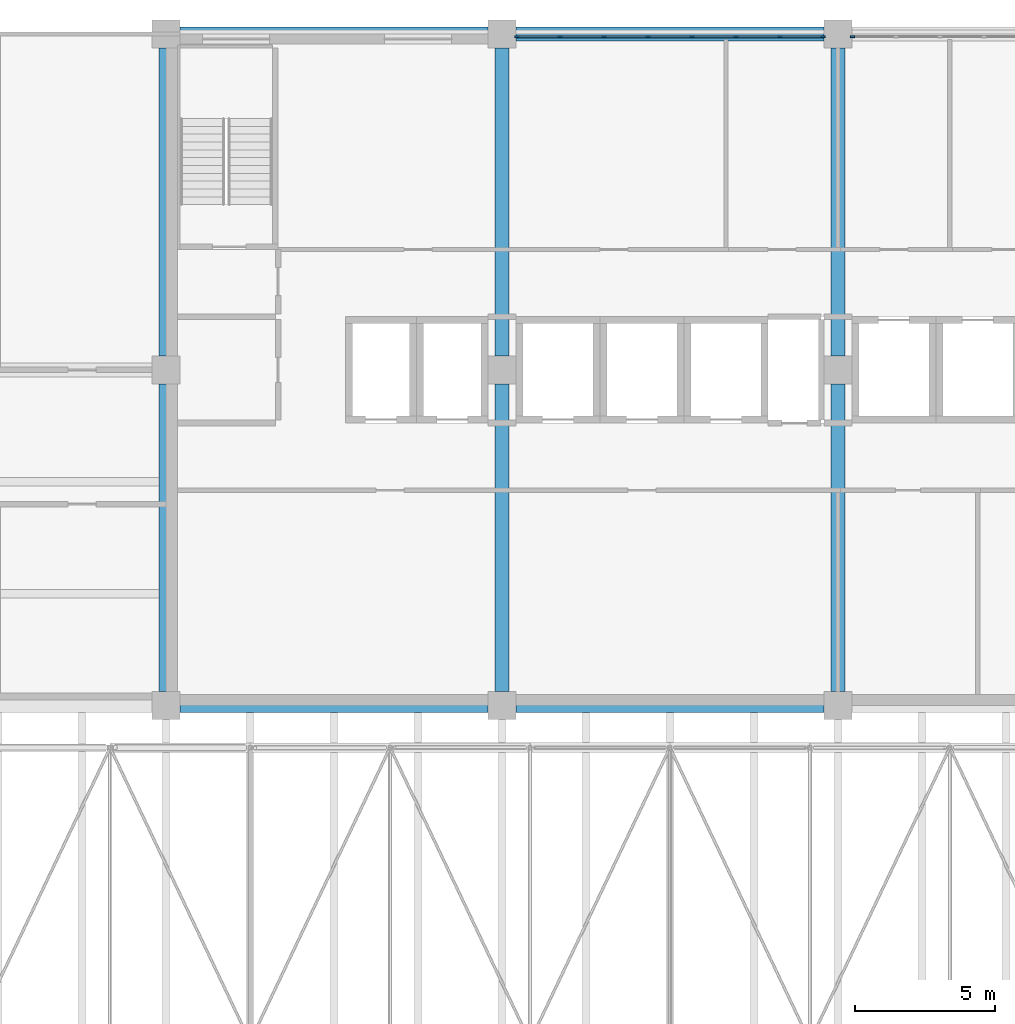
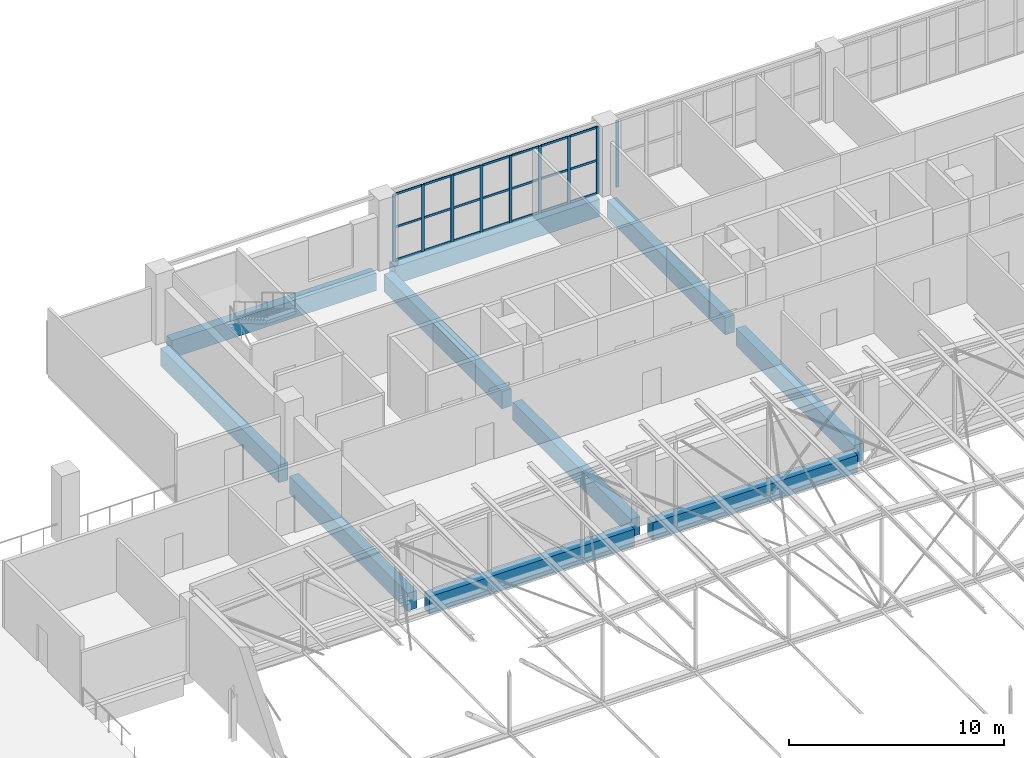
# One storey, part 131 of 156: 30 members, 10 beams, 2 elements without a shape of their own.
"""IFC4 building model written with IfcOpenShell, lengths in metres."""

from ifc_helpers import new_model, si_unit, direction, frame, origin, origin_2d, place, context, subcontext, project, spatial, rectangle, extrude, material, layer, layer_set, material_profile, profile_set, type_object, element, aggregate, save


model = new_model("IFC4")

# Units and contexts
model_context = context("Model", 3, precision=1e-05, world=origin(), true_north=direction((0.0, 1.0)))
body_context = subcontext(model_context, "Body", "Model", "MODEL_VIEW")
ifc_project = project(units=[si_unit("LENGTHUNIT", "METRE"), si_unit("AREAUNIT", "SQUARE_METRE"), si_unit("VOLUMEUNIT", "CUBIC_METRE"), si_unit("PLANEANGLEUNIT", "RADIAN"), si_unit("MASSUNIT", "GRAM", prefix="KILO")], contexts=[model_context])

# Site, building, storey
site_placement = place(None, origin())
site = spatial("IfcSite", under=ifc_project, at=site_placement, CompositionType="ELEMENT")
building_placement = place(site_placement, origin())
building = spatial("IfcBuilding", under=site, at=building_placement, Name="Lilac Gate Convention Centre", CompositionType="ELEMENT")
storey_placement = place(building_placement, frame((0.0, 0.0, 17.0)))
storey = spatial("IfcBuildingStorey", under=building, at=storey_placement, Name="L03", CompositionType="ELEMENT", Elevation=17.0)

# Curtain wall, member
ifc_material_1 = material(Name="Aluminium framed double glazing", Category="aluminium")
ifc_layer = layer(ifc_material_1, 0.199951171875)
ifc_layer_set = layer_set([ifc_layer], Name="Aluminium framed double glazing")
curtain_wall_type = type_object("IfcCurtainWallType", Name="Unitised curtain wall 1500", PredefinedType="NOTDEFINED", material=ifc_layer_set)
curtain_wall_1_placement = place(storey_placement, origin())
curtain_wall_1 = element("IfcCurtainWall", 1, at=curtain_wall_1_placement, inside=storey, type_object=curtain_wall_type, Name="Curtain wall N L03 2", PredefinedType="NOTDEFINED")
ifc_material_2 = material(Name="Aluminium alloy 6063", Category="aluminium")
ifc_material_profile_1 = material_profile(ifc_material_2, rectangle(XDim=0.06005859375, YDim=0.159912109375, at=origin_2d()), Name="Curtain wall mullion 60 x 160")
ifc_profile_set_1 = profile_set([ifc_material_profile_1], Name="Aluminium alloy 6063")
member_type_1 = type_object("IfcMemberType", Name="Curtain wall mullion 60 x 160", PredefinedType="MULLION", material=ifc_profile_set_1)
member_1_placement = place(storey_placement, frame((66.530029296875, 245.89990234375, 0.0), z_axis=(0.0, 0.0, 1.0), x_axis=(0.0, -1.0, 0.0)))
member_1 = element("IfcMember", 2, at=member_1_placement, type_object=member_type_1, Name="CW mullion 8", PredefinedType="MULLION", context=body_context, shape_type="SweptSolid", body=[
    extrude(rectangle(XDim=0.06005859375, YDim=0.159912109375, at=origin_2d()), origin(), (0.0, 0.0, 1.0), 3.800048828125),
])
aggregate(curtain_wall_1, [member_1])

# Curtain wall, members
curtain_wall_2_placement = place(storey_placement, origin())
curtain_wall_2 = element("IfcCurtainWall", 3, at=curtain_wall_2_placement, inside=storey, type_object=curtain_wall_type, Name="Curtain wall N L03 3", PredefinedType="NOTDEFINED")
member_2_placement = place(storey_placement, frame((65.469970703125, 245.89990234375, 0.0), z_axis=(0.0, 0.0, 1.0), x_axis=(0.0, -1.0, 0.0)))
member_2 = element("IfcMember", 4, at=member_2_placement, type_object=member_type_1, Name="CW mullion 1", PredefinedType="MULLION", context=body_context, shape_type="SweptSolid", body=[
    extrude(rectangle(XDim=0.06005859375, YDim=0.159912109375, at=origin_2d()), origin(), (0.0, 0.0, 1.0), 3.800048828125),
])
member_3_placement = place(storey_placement, frame((63.928466796875, 245.89990234375, 0.0), z_axis=(0.0, 0.0, 1.0), x_axis=(0.0, -1.0, 0.0)))
member_3 = element("IfcMember", 5, at=member_3_placement, type_object=member_type_1, Name="CW mullion 2", PredefinedType="MULLION", context=body_context, shape_type="SweptSolid", body=[
    extrude(rectangle(XDim=0.06005859375, YDim=0.159912109375, at=origin_2d()), origin(), (0.0, 0.0, 1.0), 3.800048828125),
])
member_4_placement = place(storey_placement, frame((62.357177734375, 245.89990234375, 0.0), z_axis=(0.0, 0.0, 1.0), x_axis=(0.0, -1.0, 0.0)))
member_4 = element("IfcMember", 6, at=member_4_placement, type_object=member_type_1, Name="CW mullion 3", PredefinedType="MULLION", context=body_context, shape_type="SweptSolid", body=[
    extrude(rectangle(XDim=0.06005859375, YDim=0.159912109375, at=origin_2d()), origin(), (0.0, 0.0, 1.0), 3.800048828125),
])
member_5_placement = place(storey_placement, frame((60.78564453125, 245.89990234375, 0.0), z_axis=(0.0, 0.0, 1.0), x_axis=(0.0, -1.0, 0.0)))
member_5 = element("IfcMember", 7, at=member_5_placement, type_object=member_type_1, Name="CW mullion 4", PredefinedType="MULLION", context=body_context, shape_type="SweptSolid", body=[
    extrude(rectangle(XDim=0.06005859375, YDim=0.159912109375, at=origin_2d()), origin(), (0.0, 0.0, 1.0), 3.800048828125),
])
member_6_placement = place(storey_placement, frame((59.21435546875, 245.89990234375, 0.0), z_axis=(0.0, 0.0, 1.0), x_axis=(0.0, -1.0, 0.0)))
member_6 = element("IfcMember", 8, at=member_6_placement, type_object=member_type_1, Name="CW mullion 5", PredefinedType="MULLION", context=body_context, shape_type="SweptSolid", body=[
    extrude(rectangle(XDim=0.06005859375, YDim=0.159912109375, at=origin_2d()), origin(), (0.0, 0.0, 1.0), 3.800048828125),
])
member_7_placement = place(storey_placement, frame((57.642822265625, 245.89990234375, 0.0), z_axis=(0.0, 0.0, 1.0), x_axis=(0.0, -1.0, 0.0)))
member_7 = element("IfcMember", 9, at=member_7_placement, type_object=member_type_1, Name="CW mullion 6", PredefinedType="MULLION", context=body_context, shape_type="SweptSolid", body=[
    extrude(rectangle(XDim=0.06005859375, YDim=0.159912109375, at=origin_2d()), origin(), (0.0, 0.0, 1.0), 3.800048828125),
])
member_8_placement = place(storey_placement, frame((56.071533203125, 245.89990234375, 0.0), z_axis=(0.0, 0.0, 1.0), x_axis=(0.0, -1.0, 0.0)))
member_8 = element("IfcMember", 10, at=member_8_placement, type_object=member_type_1, Name="CW mullion 7", PredefinedType="MULLION", context=body_context, shape_type="SweptSolid", body=[
    extrude(rectangle(XDim=0.06005859375, YDim=0.159912109375, at=origin_2d()), origin(), (0.0, 0.0, 1.0), 3.800048828125),
])
member_9_placement = place(storey_placement, frame((54.530029296875, 245.89990234375, 0.0), z_axis=(0.0, 0.0, 1.0), x_axis=(0.0, -1.0, 0.0)))
member_9 = element("IfcMember", 11, at=member_9_placement, type_object=member_type_1, Name="CW mullion 8", PredefinedType="MULLION", context=body_context, shape_type="SweptSolid", body=[
    extrude(rectangle(XDim=0.06005859375, YDim=0.159912109375, at=origin_2d()), origin(), (0.0, 0.0, 1.0), 3.800048828125),
])
ifc_material_profile_2 = material_profile(ifc_material_2, rectangle(XDim=0.06005859375, YDim=0.1201171875, at=origin_2d()), Name="Curtain wall transom 60 x 120")
ifc_profile_set_2 = profile_set([ifc_material_profile_2], Name="Aluminium alloy 6063")
member_type_2 = type_object("IfcMemberType", Name="Curtain wall transom 60 x 120", PredefinedType="USERDEFINED", material=ifc_profile_set_2)
member_10_placement = place(storey_placement, frame((65.43994140625, 245.89990234375, 0.030029296875), z_axis=(-1.0, 0.0, 0.0), x_axis=(0.0, -1.0, 0.0)))
member_10 = element("IfcMember", 12, at=member_10_placement, type_object=member_type_2, Name="CW transom 1.1", ObjectType="TRANSOM", PredefinedType="USERDEFINED", context=body_context, shape_type="SweptSolid", body=[
    extrude(rectangle(XDim=0.06005859375, YDim=0.1201171875, at=origin_2d()), origin(), (0.0, 0.0, 1.0), 1.4814453125),
])
member_11_placement = place(storey_placement, frame((65.43994140625, 245.89990234375, 1.89990234375), z_axis=(-1.0, 0.0, 0.0), x_axis=(0.0, -1.0, 0.0)))
member_11 = element("IfcMember", 13, at=member_11_placement, type_object=member_type_2, Name="CW transom 1.2", ObjectType="TRANSOM", PredefinedType="USERDEFINED", context=body_context, shape_type="SweptSolid", body=[
    extrude(rectangle(XDim=0.06005859375, YDim=0.1201171875, at=origin_2d()), origin(), (0.0, 0.0, 1.0), 1.4814453125),
])
member_12_placement = place(storey_placement, frame((65.43994140625, 245.89990234375, 3.77001953125), z_axis=(-1.0, 0.0, 0.0), x_axis=(0.0, -1.0, 0.0)))
member_12 = element("IfcMember", 14, at=member_12_placement, type_object=member_type_2, Name="CW transom 1.3", ObjectType="TRANSOM", PredefinedType="USERDEFINED", context=body_context, shape_type="SweptSolid", body=[
    extrude(rectangle(XDim=0.06005859375, YDim=0.1201171875, at=origin_2d()), origin(), (0.0, 0.0, 1.0), 1.4814453125),
])
member_13_placement = place(storey_placement, frame((63.898681640625, 245.89990234375, 0.030029296875), z_axis=(-1.0, 0.0, 0.0), x_axis=(0.0, -1.0, 0.0)))
member_13 = element("IfcMember", 15, at=member_13_placement, type_object=member_type_2, Name="CW transom 2.1", ObjectType="TRANSOM", PredefinedType="USERDEFINED", context=body_context, shape_type="SweptSolid", body=[
    extrude(rectangle(XDim=0.06005859375, YDim=0.1201171875, at=origin_2d()), origin(), (0.0, 0.0, 1.0), 1.511474609375),
])
member_14_placement = place(storey_placement, frame((63.898681640625, 245.89990234375, 1.89990234375), z_axis=(-1.0, 0.0, 0.0), x_axis=(0.0, -1.0, 0.0)))
member_14 = element("IfcMember", 16, at=member_14_placement, type_object=member_type_2, Name="CW transom 2.2", ObjectType="TRANSOM", PredefinedType="USERDEFINED", context=body_context, shape_type="SweptSolid", body=[
    extrude(rectangle(XDim=0.06005859375, YDim=0.1201171875, at=origin_2d()), origin(), (0.0, 0.0, 1.0), 1.511474609375),
])
member_15_placement = place(storey_placement, frame((63.898681640625, 245.89990234375, 3.77001953125), z_axis=(-1.0, 0.0, 0.0), x_axis=(0.0, -1.0, 0.0)))
member_15 = element("IfcMember", 17, at=member_15_placement, type_object=member_type_2, Name="CW transom 2.3", ObjectType="TRANSOM", PredefinedType="USERDEFINED", context=body_context, shape_type="SweptSolid", body=[
    extrude(rectangle(XDim=0.06005859375, YDim=0.1201171875, at=origin_2d()), origin(), (0.0, 0.0, 1.0), 1.511474609375),
])
member_16_placement = place(storey_placement, frame((62.3271484375, 245.89990234375, 0.030029296875), z_axis=(-1.0, 0.0, 0.0), x_axis=(0.0, -1.0, 0.0)))
member_16 = element("IfcMember", 18, at=member_16_placement, type_object=member_type_2, Name="CW transom 3.1", ObjectType="TRANSOM", PredefinedType="USERDEFINED", context=body_context, shape_type="SweptSolid", body=[
    extrude(rectangle(XDim=0.06005859375, YDim=0.1201171875, at=origin_2d()), origin(), (0.0, 0.0, 1.0), 1.511474609375),
])
member_17_placement = place(storey_placement, frame((62.3271484375, 245.89990234375, 1.89990234375), z_axis=(-1.0, 0.0, 0.0), x_axis=(0.0, -1.0, 0.0)))
member_17 = element("IfcMember", 19, at=member_17_placement, type_object=member_type_2, Name="CW transom 3.2", ObjectType="TRANSOM", PredefinedType="USERDEFINED", context=body_context, shape_type="SweptSolid", body=[
    extrude(rectangle(XDim=0.06005859375, YDim=0.1201171875, at=origin_2d()), origin(), (0.0, 0.0, 1.0), 1.511474609375),
])
member_18_placement = place(storey_placement, frame((62.3271484375, 245.89990234375, 3.77001953125), z_axis=(-1.0, 0.0, 0.0), x_axis=(0.0, -1.0, 0.0)))
member_18 = element("IfcMember", 20, at=member_18_placement, type_object=member_type_2, Name="CW transom 3.3", ObjectType="TRANSOM", PredefinedType="USERDEFINED", context=body_context, shape_type="SweptSolid", body=[
    extrude(rectangle(XDim=0.06005859375, YDim=0.1201171875, at=origin_2d()), origin(), (0.0, 0.0, 1.0), 1.511474609375),
])
member_19_placement = place(storey_placement, frame((60.755615234375, 245.89990234375, 0.030029296875), z_axis=(-1.0, 0.0, 0.0), x_axis=(0.0, -1.0, 0.0)))
member_19 = element("IfcMember", 21, at=member_19_placement, type_object=member_type_2, Name="CW transom 4.1", ObjectType="TRANSOM", PredefinedType="USERDEFINED", context=body_context, shape_type="SweptSolid", body=[
    extrude(rectangle(XDim=0.06005859375, YDim=0.1201171875, at=origin_2d()), origin(), (0.0, 0.0, 1.0), 1.51123046875),
])
member_20_placement = place(storey_placement, frame((60.755615234375, 245.89990234375, 1.89990234375), z_axis=(-1.0, 0.0, 0.0), x_axis=(0.0, -1.0, 0.0)))
member_20 = element("IfcMember", 22, at=member_20_placement, type_object=member_type_2, Name="CW transom 4.2", ObjectType="TRANSOM", PredefinedType="USERDEFINED", context=body_context, shape_type="SweptSolid", body=[
    extrude(rectangle(XDim=0.06005859375, YDim=0.1201171875, at=origin_2d()), origin(), (0.0, 0.0, 1.0), 1.51123046875),
])
member_21_placement = place(storey_placement, frame((60.755615234375, 245.89990234375, 3.77001953125), z_axis=(-1.0, 0.0, 0.0), x_axis=(0.0, -1.0, 0.0)))
member_21 = element("IfcMember", 23, at=member_21_placement, type_object=member_type_2, Name="CW transom 4.3", ObjectType="TRANSOM", PredefinedType="USERDEFINED", context=body_context, shape_type="SweptSolid", body=[
    extrude(rectangle(XDim=0.06005859375, YDim=0.1201171875, at=origin_2d()), origin(), (0.0, 0.0, 1.0), 1.51123046875),
])
member_22_placement = place(storey_placement, frame((59.184326171875, 245.89990234375, 0.030029296875), z_axis=(-1.0, 0.0, 0.0), x_axis=(0.0, -1.0, 0.0)))
member_22 = element("IfcMember", 24, at=member_22_placement, type_object=member_type_2, Name="CW transom 5.1", ObjectType="TRANSOM", PredefinedType="USERDEFINED", context=body_context, shape_type="SweptSolid", body=[
    extrude(rectangle(XDim=0.06005859375, YDim=0.1201171875, at=origin_2d()), origin(), (0.0, 0.0, 1.0), 1.511474609375),
])
member_23_placement = place(storey_placement, frame((59.184326171875, 245.89990234375, 1.89990234375), z_axis=(-1.0, 0.0, 0.0), x_axis=(0.0, -1.0, 0.0)))
member_23 = element("IfcMember", 25, at=member_23_placement, type_object=member_type_2, Name="CW transom 5.2", ObjectType="TRANSOM", PredefinedType="USERDEFINED", context=body_context, shape_type="SweptSolid", body=[
    extrude(rectangle(XDim=0.06005859375, YDim=0.1201171875, at=origin_2d()), origin(), (0.0, 0.0, 1.0), 1.511474609375),
])
member_24_placement = place(storey_placement, frame((59.184326171875, 245.89990234375, 3.77001953125), z_axis=(-1.0, 0.0, 0.0), x_axis=(0.0, -1.0, 0.0)))
member_24 = element("IfcMember", 26, at=member_24_placement, type_object=member_type_2, Name="CW transom 5.3", ObjectType="TRANSOM", PredefinedType="USERDEFINED", context=body_context, shape_type="SweptSolid", body=[
    extrude(rectangle(XDim=0.06005859375, YDim=0.1201171875, at=origin_2d()), origin(), (0.0, 0.0, 1.0), 1.511474609375),
])
member_25_placement = place(storey_placement, frame((57.61279296875, 245.89990234375, 0.030029296875), z_axis=(-1.0, 0.0, 0.0), x_axis=(0.0, -1.0, 0.0)))
member_25 = element("IfcMember", 27, at=member_25_placement, type_object=member_type_2, Name="CW transom 6.1", ObjectType="TRANSOM", PredefinedType="USERDEFINED", context=body_context, shape_type="SweptSolid", body=[
    extrude(rectangle(XDim=0.06005859375, YDim=0.1201171875, at=origin_2d()), origin(), (0.0, 0.0, 1.0), 1.511474609375),
])
member_26_placement = place(storey_placement, frame((57.61279296875, 245.89990234375, 1.89990234375), z_axis=(-1.0, 0.0, 0.0), x_axis=(0.0, -1.0, 0.0)))
member_26 = element("IfcMember", 28, at=member_26_placement, type_object=member_type_2, Name="CW transom 6.2", ObjectType="TRANSOM", PredefinedType="USERDEFINED", context=body_context, shape_type="SweptSolid", body=[
    extrude(rectangle(XDim=0.06005859375, YDim=0.1201171875, at=origin_2d()), origin(), (0.0, 0.0, 1.0), 1.511474609375),
])
member_27_placement = place(storey_placement, frame((57.61279296875, 245.89990234375, 3.77001953125), z_axis=(-1.0, 0.0, 0.0), x_axis=(0.0, -1.0, 0.0)))
member_27 = element("IfcMember", 29, at=member_27_placement, type_object=member_type_2, Name="CW transom 6.3", ObjectType="TRANSOM", PredefinedType="USERDEFINED", context=body_context, shape_type="SweptSolid", body=[
    extrude(rectangle(XDim=0.06005859375, YDim=0.1201171875, at=origin_2d()), origin(), (0.0, 0.0, 1.0), 1.511474609375),
])
member_28_placement = place(storey_placement, frame((56.04150390625, 245.89990234375, 0.030029296875), z_axis=(-1.0, 0.0, 0.0), x_axis=(0.0, -1.0, 0.0)))
member_28 = element("IfcMember", 30, at=member_28_placement, type_object=member_type_2, Name="CW transom 7.1", ObjectType="TRANSOM", PredefinedType="USERDEFINED", context=body_context, shape_type="SweptSolid", body=[
    extrude(rectangle(XDim=0.06005859375, YDim=0.1201171875, at=origin_2d()), origin(), (0.0, 0.0, 1.0), 1.4814453125),
])
member_29_placement = place(storey_placement, frame((56.04150390625, 245.89990234375, 1.89990234375), z_axis=(-1.0, 0.0, 0.0), x_axis=(0.0, -1.0, 0.0)))
member_29 = element("IfcMember", 31, at=member_29_placement, type_object=member_type_2, Name="CW transom 7.2", ObjectType="TRANSOM", PredefinedType="USERDEFINED", context=body_context, shape_type="SweptSolid", body=[
    extrude(rectangle(XDim=0.06005859375, YDim=0.1201171875, at=origin_2d()), origin(), (0.0, 0.0, 1.0), 1.4814453125),
])
member_30_placement = place(storey_placement, frame((56.04150390625, 245.89990234375, 3.77001953125), z_axis=(-1.0, 0.0, 0.0), x_axis=(0.0, -1.0, 0.0)))
member_30 = element("IfcMember", 32, at=member_30_placement, type_object=member_type_2, Name="CW transom 7.3", ObjectType="TRANSOM", PredefinedType="USERDEFINED", context=body_context, shape_type="SweptSolid", body=[
    extrude(rectangle(XDim=0.06005859375, YDim=0.1201171875, at=origin_2d()), origin(), (0.0, 0.0, 1.0), 1.4814453125),
])
aggregate(curtain_wall_2, [member_2, member_3, member_4, member_5, member_6, member_7, member_8, member_9, member_10, member_11, member_12, member_13, member_14, member_15, member_16, member_17, member_18, member_19, member_20, member_21, member_22, member_23, member_24, member_25, member_26, member_27, member_28, member_29, member_30])

# Beams
ifc_material_3 = material(Name="Concrete C40", Category="concrete")
ifc_material_profile_3 = material_profile(ifc_material_3, rectangle(XDim=0.5, YDim=1.0, at=origin_2d()), Name="RC 500x1000")
ifc_profile_set_3 = profile_set([ifc_material_profile_3], Name="Concrete C40")
beam_type = type_object("IfcBeamType", Name="Primary beam 500x1000 C40", PredefinedType="BEAM", material=ifc_profile_set_3)
for number, where, z_axis, x_axis, name in (
    (33, (42.5, 222.0, -0.75), (1.0, 0.0, 0.0), (0.0, 1.0, 0.0), "RB1 L03 4/S-5/S"),
    (34, (54.5, 222.0, -0.75), (1.0, 0.0, 0.0), (0.0, 1.0, 0.0), "RB1 L03 5/S-6/S"),
    (35, (42.5, 246.0, -0.75), (1.0, 0.0, 0.0), (0.0, 1.0, 0.0), "RB1 L03 4/U-5/U"),
    (36, (54.5, 246.0, -0.75), (1.0, 0.0, 0.0), (0.0, 1.0, 0.0), "RB1 L03 5/U-6/U"),
    (37, (42.0, 222.5, -0.75), (0.0, 1.0, 0.0), (-1.0, 0.0, 0.0), "RB1 L03 4/S-4/T"),
    (38, (42.0, 234.5, -0.75), (0.0, 1.0, 0.0), (-1.0, 0.0, 0.0), "RB1 L03 4/T-4/U"),
    (39, (54.0, 222.5, -0.75), (0.0, 1.0, 0.0), (-1.0, 0.0, 0.0), "RB1 L03 5/S-5/T"),
    (40, (54.0, 234.5, -0.75), (0.0, 1.0, 0.0), (-1.0, 0.0, 0.0), "RB1 L03 5/T-5/U"),
    (41, (66.0, 222.5, -0.75), (0.0, 1.0, 0.0), (-1.0, 0.0, 0.0), "RB1 L03 6/S-6/T"),
    (42, (66.0, 234.5, -0.75), (0.0, 1.0, 0.0), (-1.0, 0.0, 0.0), "RB1 L03 6/T-6/U"),
):
    element("IfcBeam", number, at=place(storey_placement, frame(where, z_axis=z_axis, x_axis=x_axis)), inside=storey, type_object=beam_type, Name=name, PredefinedType="BEAM", context=body_context, shape_type="SweptSolid", body=[
        extrude(rectangle(XDim=0.5, YDim=1.0, at=origin_2d()), origin(), (0.0, 0.0, 1.0), 11.0),
    ])

save(model, "model.ifc")
